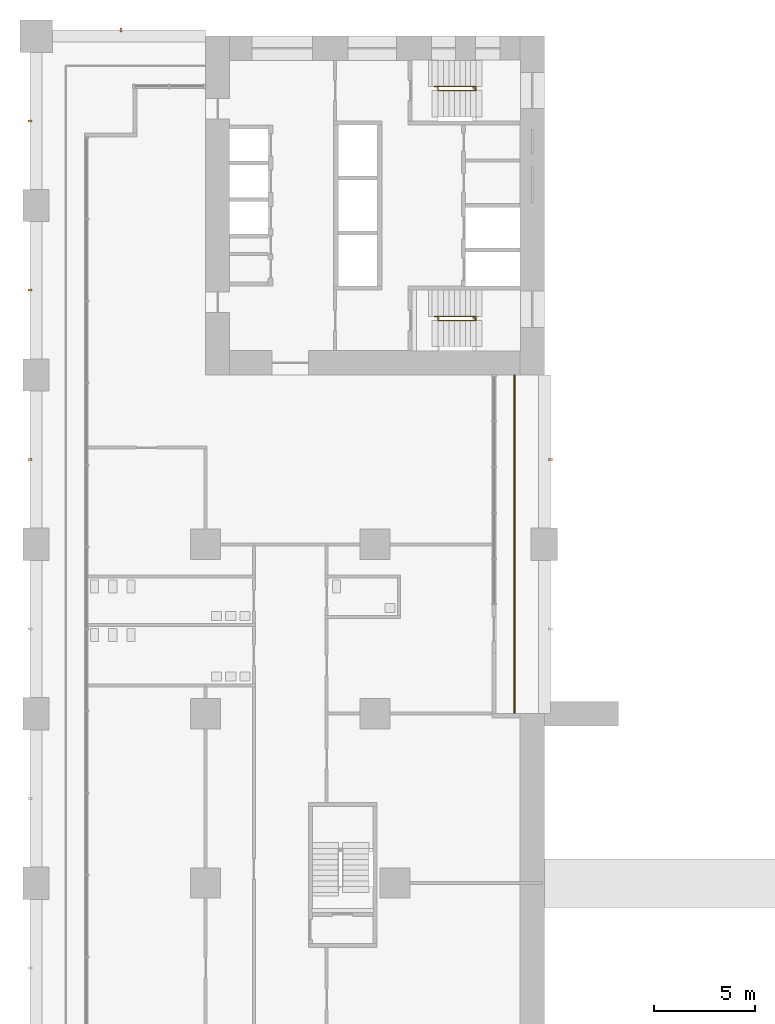
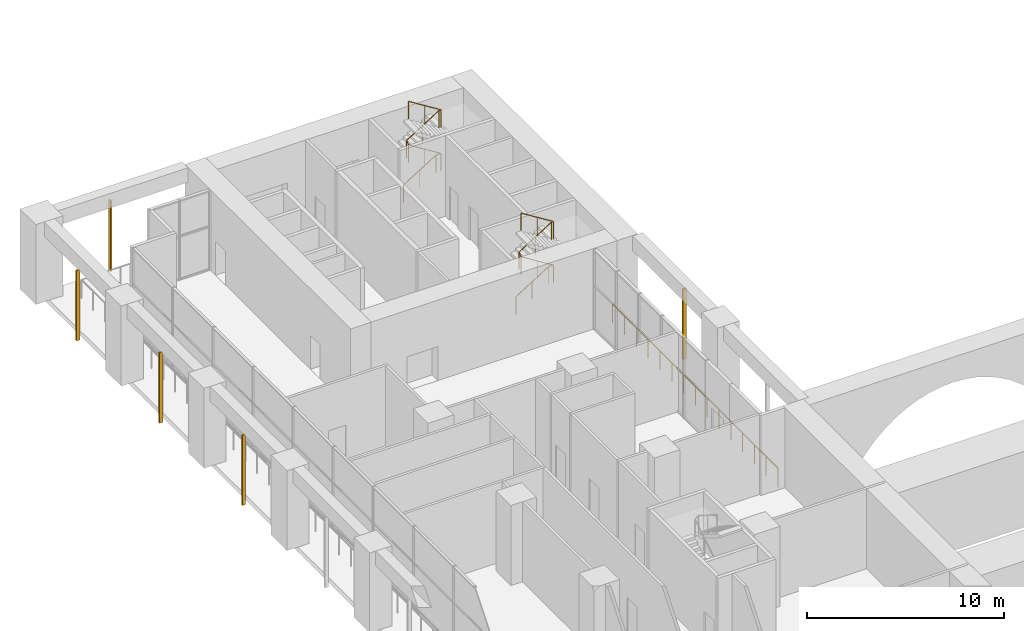
# One storey, part 23 of 26: 5 shading devices, 3 railings.
"""IFC4 building model written with IfcOpenShell, lengths in metres."""

from ifc_helpers import new_model, si_unit, direction, frame, origin, origin_2d, place, context, subcontext, project, spatial, rectangle, circle, extrude, material, material_profile, profile_set, type_object, element, save


model = new_model("IFC4")

# Units and contexts
model_context = context("Model", 3, precision=1e-05, world=origin(), true_north=direction((0.0, 1.0)))
body_context = subcontext(model_context, "Body", "Model", "MODEL_VIEW")
ifc_project = project(units=[si_unit("LENGTHUNIT", "METRE"), si_unit("AREAUNIT", "SQUARE_METRE"), si_unit("VOLUMEUNIT", "CUBIC_METRE"), si_unit("PLANEANGLEUNIT", "RADIAN"), si_unit("MASSUNIT", "GRAM", prefix="KILO")], contexts=[model_context])

# Site, building, storey
site_placement = place(None, origin())
site = spatial("IfcSite", under=ifc_project, at=site_placement, CompositionType="ELEMENT")
building_placement = place(site_placement, origin())
building = spatial("IfcBuilding", under=site, at=building_placement, Name="Vermilion Gate Residences", CompositionType="ELEMENT")
storey_placement = place(building_placement, frame((0.0, 0.0, 9.0)))
storey = spatial("IfcBuildingStorey", under=building, at=storey_placement, Name="L01", CompositionType="ELEMENT", Elevation=9.0)

# Railings
ifc_material_1 = material(Name="Stainless steel and toughened glass", Category="steel")
railing_type_1 = type_object("IfcRailingType", Name="LOGGIA GUARD STEEL AND GLASS 1200", PredefinedType="GUARDRAIL", material=ifc_material_1)
railing_1_placement = place(storey_placement, frame((23.72509765625, 25.221923828125, 0.0)))
element("IfcRailing", 1, at=railing_1_placement, inside=storey, type_object=railing_type_1, Name="Loggia guard", PredefinedType="GUARDRAIL", context=body_context, shape_type="SweptSolid", body=[
    extrude(circle(Radius=0.030029296875, at=origin_2d()), frame((0.0, 0.0, 1.169921875), z_axis=(0.0, 1.0, 0.0), x_axis=(-1.0, 0.0, 0.0)), (0.0, 0.0, 1.0), 16.756103515625),
    extrude(circle(Radius=0.02490234375, at=origin_2d()), origin(), (0.0, 0.0, 1.0), 1.139892578125),
    extrude(circle(Radius=0.02490234375, at=origin_2d()), frame((0.0, 1.19677734375, 0.0)), (0.0, 0.0, 1.0), 1.139892578125),
    extrude(circle(Radius=0.02490234375, at=origin_2d()), frame((0.0, 2.393798828125, 0.0)), (0.0, 0.0, 1.0), 1.139892578125),
    extrude(circle(Radius=0.02490234375, at=origin_2d()), frame((0.0, 3.590576171875, 0.0)), (0.0, 0.0, 1.0), 1.139892578125),
    extrude(circle(Radius=0.02490234375, at=origin_2d()), frame((0.0, 4.787353515625, 0.0)), (0.0, 0.0, 1.0), 1.139892578125),
    extrude(circle(Radius=0.02490234375, at=origin_2d()), frame((0.0, 5.984375, 0.0)), (0.0, 0.0, 1.0), 1.139892578125),
    extrude(circle(Radius=0.02490234375, at=origin_2d()), frame((0.0, 7.18115234375, 0.0)), (0.0, 0.0, 1.0), 1.139892578125),
    extrude(circle(Radius=0.02490234375, at=origin_2d()), frame((0.0, 8.3779296875, 0.0)), (0.0, 0.0, 1.0), 1.139892578125),
    extrude(circle(Radius=0.02490234375, at=origin_2d()), frame((0.0, 9.574951171875, 0.0)), (0.0, 0.0, 1.0), 1.139892578125),
    extrude(circle(Radius=0.02490234375, at=origin_2d()), frame((0.0, 10.771728515625, 0.0)), (0.0, 0.0, 1.0), 1.139892578125),
    extrude(circle(Radius=0.02490234375, at=origin_2d()), frame((0.0, 11.96875, 0.0)), (0.0, 0.0, 1.0), 1.139892578125),
    extrude(circle(Radius=0.02490234375, at=origin_2d()), frame((0.0, 13.16552734375, 0.0)), (0.0, 0.0, 1.0), 1.139892578125),
    extrude(circle(Radius=0.02490234375, at=origin_2d()), frame((0.0, 14.3623046875, 0.0)), (0.0, 0.0, 1.0), 1.139892578125),
    extrude(circle(Radius=0.02490234375, at=origin_2d()), frame((0.0, 15.559326171875, 0.0)), (0.0, 0.0, 1.0), 1.139892578125),
    extrude(circle(Radius=0.02490234375, at=origin_2d()), frame((0.0, 16.756103515625, 0.0)), (0.0, 0.0, 1.0), 1.139892578125),
])
ifc_material_2 = material(Name="Steel S355", Category="steel")
railing_type_2 = type_object("IfcRailingType", Name="STAIR GUARD 1100 STEEL", PredefinedType="GUARDRAIL", material=ifc_material_2)
railing_2_placement = place(storey_placement, frame((19.75, 56.300048828125, 0.168701171875)))
element("IfcRailing", 2, at=railing_2_placement, inside=storey, type_object=railing_type_2, Name="Stair well guard STB1-01", PredefinedType="GUARDRAIL", context=body_context, shape_type="SweptSolid", body=[
    extrude(circle(Radius=0.02392578125, at=origin_2d()), frame((0.0, 0.0, 1.076171875), z_axis=(0.847955223367, 0.0, 0.530067862792), x_axis=(0.0, 1.0, 0.0)), (0.0, 0.0, 1.0), 2.228759765625),
    extrude(circle(Radius=0.02392578125, at=origin_2d()), frame((1.889892578125, 0.0, 2.25732421875), z_axis=(0.567208205734, -0.629462764899, 0.531085189921), x_axis=(0.74288808428, 0.669415636384, 0.0)), (0.0, 0.0, 1.0), 0.317626953125),
    extrude(circle(Radius=0.02392578125, at=origin_2d()), frame((2.070068359375, -0.199951171875, 2.42626953125), z_axis=(-0.848035224522, 0.0, 0.529939862598), x_axis=(0.0, -1.0, 0.0)), (0.0, 0.0, 1.0), 2.228759765625),
    extrude(circle(Radius=0.02392578125, at=origin_2d()), frame((0.179931640625, -0.199951171875, 3.607421875), z_axis=(0.0, 0.764305856904, 0.644853903688), x_axis=(-1.0, 0.0, 0.0)), (0.0, 0.0, 1.0), 0.26171875),
    extrude(circle(Radius=0.02392578125, at=origin_2d()), frame((0.179931640625, 0.0, 3.77587890625), z_axis=(0.847985996966, 0.0, 0.530018630757), x_axis=(0.0, 1.0, 0.0)), (0.0, 0.0, 1.0), 2.22900390625),
    extrude(circle(Radius=0.02392578125, at=origin_2d()), frame((2.070068359375, 0.0, 4.95751953125), z_axis=(0.0, -0.764305856904, 0.644853903688), x_axis=(1.0, 0.0, 0.0)), (0.0, 0.0, 1.0), 0.26171875),
    extrude(circle(Radius=0.02392578125, at=origin_2d()), frame((2.070068359375, -0.199951171875, 5.1259765625), z_axis=(-0.848035224522, 0.0, 0.529939862598), x_axis=(0.0, -1.0, 0.0)), (0.0, 0.0, 1.0), 2.228759765625),
    extrude(circle(Radius=0.02099609375, at=origin_2d()), origin(), (0.0, 0.0, 1.0), 1.052001953125),
    extrude(circle(Radius=0.02099609375, at=origin_2d()), frame((0.94482421875, 0.0, 0.5908203125)), (0.0, 0.0, 1.0), 1.052001953125),
    extrude(circle(Radius=0.02099609375, at=origin_2d()), frame((1.889892578125, 0.0, 1.181396484375)), (0.0, 0.0, 1.0), 1.052001953125),
    extrude(circle(Radius=0.02099609375, at=origin_2d()), frame((2.070068359375, -0.199951171875, 1.35009765625)), (0.0, 0.0, 1.0), 1.052001953125),
    extrude(circle(Radius=0.02099609375, at=origin_2d()), frame((1.125, -0.199951171875, 1.940673828125)), (0.0, 0.0, 1.0), 1.052001953125),
    extrude(circle(Radius=0.02099609375, at=origin_2d()), frame((0.179931640625, -0.199951171875, 2.53125)), (0.0, 0.0, 1.0), 1.052001953125),
    extrude(circle(Radius=0.02099609375, at=origin_2d()), frame((0.179931640625, 0.0, 2.699951171875)), (0.0, 0.0, 1.0), 1.052001953125),
    extrude(circle(Radius=0.02099609375, at=origin_2d()), frame((1.125, 0.0, 3.29052734375)), (0.0, 0.0, 1.0), 1.052001953125),
    extrude(circle(Radius=0.02099609375, at=origin_2d()), frame((2.070068359375, 0.0, 3.88134765625)), (0.0, 0.0, 1.0), 1.052001953125),
    extrude(circle(Radius=0.02099609375, at=origin_2d()), frame((2.070068359375, -0.199951171875, 4.050048828125)), (0.0, 0.0, 1.0), 1.052001953125),
    extrude(circle(Radius=0.02099609375, at=origin_2d()), frame((1.125, -0.199951171875, 4.640625)), (0.0, 0.0, 1.0), 1.052001953125),
    extrude(circle(Radius=0.02099609375, at=origin_2d()), frame((0.179931640625, -0.199951171875, 5.231201171875)), (0.0, 0.0, 1.0), 1.052001953125),
])
railing_3_placement = place(storey_placement, frame((19.75, 44.89990234375, 0.168701171875)))
element("IfcRailing", 3, at=railing_3_placement, inside=storey, type_object=railing_type_2, Name="Stair well guard STB2-01", PredefinedType="GUARDRAIL", context=body_context, shape_type="SweptSolid", body=[
    extrude(circle(Radius=0.02392578125, at=origin_2d()), frame((0.0, 0.0, 1.076171875), z_axis=(0.847955223367, 0.0, 0.530067862792), x_axis=(0.0, 1.0, 0.0)), (0.0, 0.0, 1.0), 2.228759765625),
    extrude(circle(Radius=0.02392578125, at=origin_2d()), frame((1.889892578125, 0.0, 2.25732421875), z_axis=(0.567208205734, -0.629462764899, 0.531085189921), x_axis=(0.74288808428, 0.669415636384, 0.0)), (0.0, 0.0, 1.0), 0.317626953125),
    extrude(circle(Radius=0.02392578125, at=origin_2d()), frame((2.070068359375, -0.199951171875, 2.42626953125), z_axis=(-0.848035224522, 0.0, 0.529939862598), x_axis=(0.0, -1.0, 0.0)), (0.0, 0.0, 1.0), 2.228759765625),
    extrude(circle(Radius=0.02392578125, at=origin_2d()), frame((0.179931640625, -0.199951171875, 3.607421875), z_axis=(0.0, 0.764305856904, 0.644853903688), x_axis=(-1.0, 0.0, 0.0)), (0.0, 0.0, 1.0), 0.26171875),
    extrude(circle(Radius=0.02392578125, at=origin_2d()), frame((0.179931640625, 0.0, 3.77587890625), z_axis=(0.847985996966, 0.0, 0.530018630757), x_axis=(0.0, 1.0, 0.0)), (0.0, 0.0, 1.0), 2.22900390625),
    extrude(circle(Radius=0.02392578125, at=origin_2d()), frame((2.070068359375, 0.0, 4.95751953125), z_axis=(0.0, -0.764305856904, 0.644853903688), x_axis=(1.0, 0.0, 0.0)), (0.0, 0.0, 1.0), 0.26171875),
    extrude(circle(Radius=0.02392578125, at=origin_2d()), frame((2.070068359375, -0.199951171875, 5.1259765625), z_axis=(-0.848035224522, 0.0, 0.529939862598), x_axis=(0.0, -1.0, 0.0)), (0.0, 0.0, 1.0), 2.228759765625),
    extrude(circle(Radius=0.02099609375, at=origin_2d()), origin(), (0.0, 0.0, 1.0), 1.052001953125),
    extrude(circle(Radius=0.02099609375, at=origin_2d()), frame((0.94482421875, 0.0, 0.5908203125)), (0.0, 0.0, 1.0), 1.052001953125),
    extrude(circle(Radius=0.02099609375, at=origin_2d()), frame((1.889892578125, 0.0, 1.181396484375)), (0.0, 0.0, 1.0), 1.052001953125),
    extrude(circle(Radius=0.02099609375, at=origin_2d()), frame((2.070068359375, -0.199951171875, 1.35009765625)), (0.0, 0.0, 1.0), 1.052001953125),
    extrude(circle(Radius=0.02099609375, at=origin_2d()), frame((1.125, -0.199951171875, 1.940673828125)), (0.0, 0.0, 1.0), 1.052001953125),
    extrude(circle(Radius=0.02099609375, at=origin_2d()), frame((0.179931640625, -0.199951171875, 2.53125)), (0.0, 0.0, 1.0), 1.052001953125),
    extrude(circle(Radius=0.02099609375, at=origin_2d()), frame((0.179931640625, 0.0, 2.699951171875)), (0.0, 0.0, 1.0), 1.052001953125),
    extrude(circle(Radius=0.02099609375, at=origin_2d()), frame((1.125, 0.0, 3.29052734375)), (0.0, 0.0, 1.0), 1.052001953125),
    extrude(circle(Radius=0.02099609375, at=origin_2d()), frame((2.070068359375, 0.0, 3.88134765625)), (0.0, 0.0, 1.0), 1.052001953125),
    extrude(circle(Radius=0.02099609375, at=origin_2d()), frame((2.070068359375, -0.199951171875, 4.050048828125)), (0.0, 0.0, 1.0), 1.052001953125),
    extrude(circle(Radius=0.02099609375, at=origin_2d()), frame((1.125, -0.199951171875, 4.640625)), (0.0, 0.0, 1.0), 1.052001953125),
    extrude(circle(Radius=0.02099609375, at=origin_2d()), frame((0.179931640625, -0.199951171875, 5.231201171875)), (0.0, 0.0, 1.0), 1.052001953125),
])

# Shading devices
ifc_material_3 = material(Name="Extruded terracotta", Category="masonry")
ifc_material_profile = material_profile(ifc_material_3, rectangle(XDim=0.199951171875, YDim=0.10009765625, at=origin_2d()), Name="BAGUETTE 100 X 200")
ifc_profile_set = profile_set([ifc_material_profile], Name="Extruded terracotta")
shading_device_type = type_object("IfcShadingDeviceType", Name="TERRACOTTA BAGUETTE 100 X 200", PredefinedType="JALOUSIE", material=ifc_profile_set)
for number, where, z_axis, x_axis, name in (
    (4, (25.5, 37.800048828125, -0.300048828125), (0.0, 0.0, 1.0), (-1.0, 0.0, 0.0), "BAGUETTE"),
    (5, (4.199951171875, 59.10009765625, -0.300048828125), (0.0, 0.0, 1.0), (0.0, -1.0, 0.0), "BAGUETTE"),
    (6, (-0.300048828125, 37.800048828125, -0.300048828125), (0.0, 0.0, 1.0), (1.0, 0.0, 0.0), "BAGUETTE"),
    (7, (-0.300048828125, 46.199951171875, -0.300048828125), (0.0, 0.0, 1.0), (1.0, 0.0, 0.0), "BAGUETTE"),
    (8, (-0.300048828125, 54.60009765625, -0.300048828125), (0.0, 0.0, 1.0), (1.0, 0.0, 0.0), "BAGUETTE"),
):
    element("IfcShadingDevice", number, at=place(storey_placement, frame(where, z_axis=z_axis, x_axis=x_axis)), inside=storey, type_object=shading_device_type, Name=name, PredefinedType="JALOUSIE", context=body_context, shape_type="SweptSolid", body=[
        extrude(rectangle(XDim=0.199951171875, YDim=0.10009765625, at=origin_2d()), origin(), (0.0, 0.0, 1.0), 4.35009765625),
    ])

save(model, "model.ifc")
